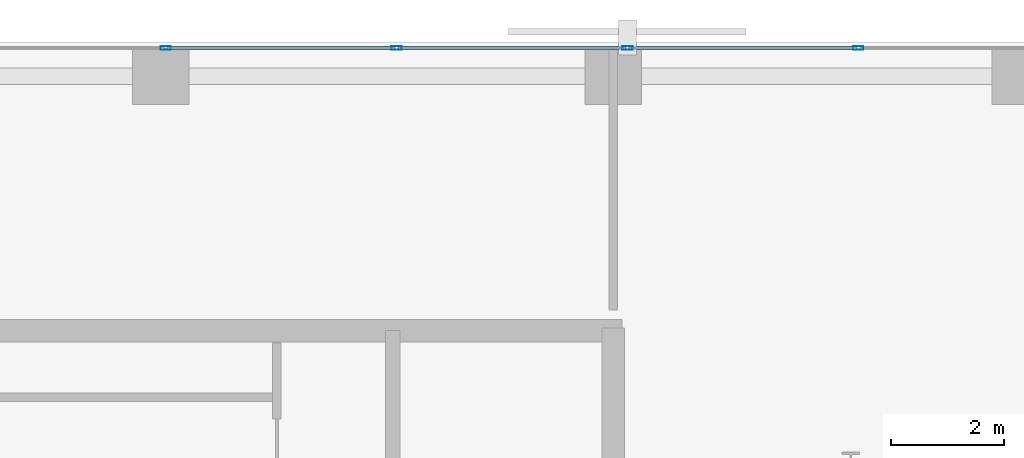
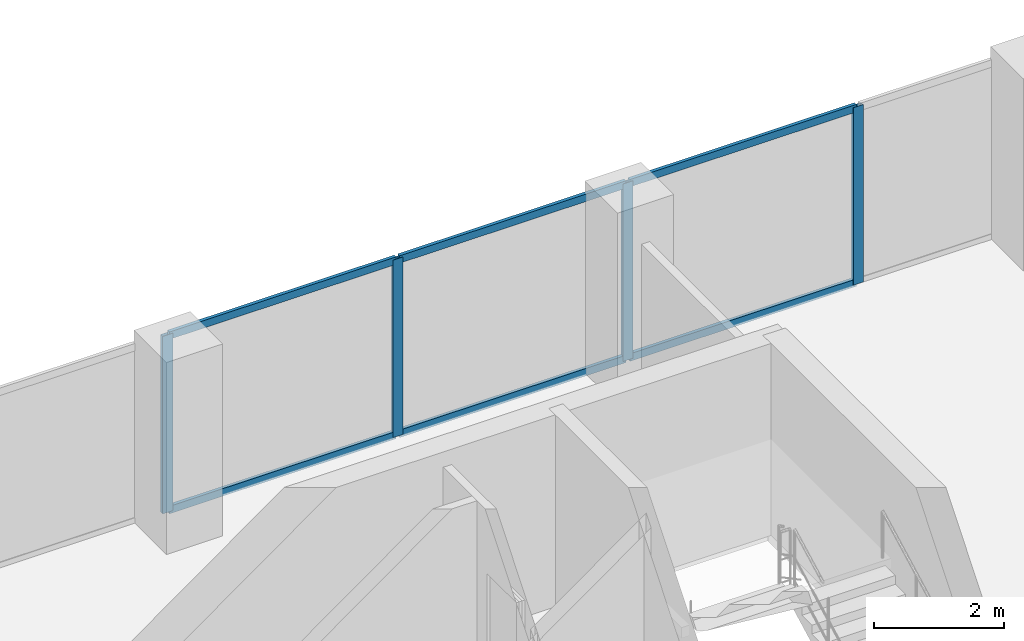
# One storey, part 24 of 32: 10 members, 1 element without a shape of its own.
"""IFC4 building model written with IfcOpenShell, lengths in metres."""

from ifc_helpers import new_model, si_unit, direction, frame, origin, origin_2d, place, context, subcontext, project, spatial, hollow_rectangle, extrude, material, layer, layer_set, material_profile, profile_set, type_object, element, aggregate, save


model = new_model("IFC4")

# Units and contexts
model_context = context("Model", 3, precision=1e-05, world=origin(), true_north=direction((0.0, 1.0)))
body_context = subcontext(model_context, "Body", "Model", "MODEL_VIEW")
ifc_project = project(units=[si_unit("LENGTHUNIT", "METRE"), si_unit("AREAUNIT", "SQUARE_METRE"), si_unit("VOLUMEUNIT", "CUBIC_METRE"), si_unit("PLANEANGLEUNIT", "RADIAN"), si_unit("MASSUNIT", "GRAM", prefix="KILO")], contexts=[model_context])

# Site, building, storey
site_placement = place(None, origin())
site = spatial("IfcSite", under=ifc_project, at=site_placement, CompositionType="ELEMENT")
building_placement = place(site_placement, origin())
building = spatial("IfcBuilding", under=site, at=building_placement, Name="Catumbela Crestline Tower", CompositionType="ELEMENT")
storey_placement = place(building_placement, frame((0.0, 0.0, 33.0)))
storey = spatial("IfcBuildingStorey", under=building, at=storey_placement, Name="L07", CompositionType="ELEMENT", Elevation=33.0)

# Curtain wall, members
ifc_material = material(Name="Aluminium alloy AW-6060-T66", Category="aluminium")
ifc_layer = layer(ifc_material, 0.18, Name="Aluminium alloy AW-6060-T66")
ifc_layer_set = layer_set([ifc_layer], Name="Aluminium alloy AW-6060-T66")
curtain_wall_type = type_object("IfcCurtainWallType", Name="CWU-Z1", PredefinedType="USERDEFINED", material=ifc_layer_set)
curtain_wall_placement = place(storey_placement, origin())
curtain_wall = element("IfcCurtainWall", 1, at=curtain_wall_placement, inside=storey, type_object=curtain_wall_type, Name="L07 Unitised Curtain Wall CW-L07-E7S1", ObjectType="UNITISED", PredefinedType="USERDEFINED")
ifc_material_profile_1 = material_profile(ifc_material, hollow_rectangle(XDim=0.065, YDim=0.18, WallThickness=0.004, at=origin_2d()), Name="ALU 180x65x4")
ifc_profile_set_1 = profile_set([ifc_material_profile_1], Name="Aluminium alloy AW-6060-T66")
member_type_1 = type_object("IfcMemberType", Name="MUL-180X65", PredefinedType="MULLION", material=ifc_profile_set_1)
member_1_placement = place(storey_placement, frame((44.3333, 47.9, 0.0), z_axis=(0.0, 0.0, 1.0), x_axis=(0.0, -1.0, 0.0)))
member_1 = element("IfcMember", 2, at=member_1_placement, type_object=member_type_1, Name="CWU-Z1 mullion 3", PredefinedType="MULLION", context=body_context, shape_type="SweptSolid", body=[
    extrude(hollow_rectangle(XDim=0.065, YDim=0.18, WallThickness=0.004, at=origin_2d()), origin(), (0.0, 0.0, 1.0), 3.33),
])
member_2_placement = place(storey_placement, frame((40.25, 47.9, 0.0), z_axis=(0.0, 0.0, 1.0), x_axis=(0.0, -1.0, 0.0)))
member_2 = element("IfcMember", 3, at=member_2_placement, type_object=member_type_1, Name="CWU-Z1 mullion 4", PredefinedType="MULLION", context=body_context, shape_type="SweptSolid", body=[
    extrude(hollow_rectangle(XDim=0.065, YDim=0.18, WallThickness=0.004, at=origin_2d()), origin(), (0.0, 0.0, 1.0), 3.33),
])
member_3_placement = place(storey_placement, frame((36.1667, 47.9, 0.0), z_axis=(0.0, 0.0, 1.0), x_axis=(0.0, -1.0, 0.0)))
member_3 = element("IfcMember", 4, at=member_3_placement, type_object=member_type_1, Name="CWU-Z1 mullion 5", PredefinedType="MULLION", context=body_context, shape_type="SweptSolid", body=[
    extrude(hollow_rectangle(XDim=0.065, YDim=0.18, WallThickness=0.004, at=origin_2d()), origin(), (0.0, 0.0, 1.0), 3.33),
])
member_4_placement = place(storey_placement, frame((32.0833, 47.9, 0.0), z_axis=(0.0, 0.0, 1.0), x_axis=(0.0, -1.0, 0.0)))
member_4 = element("IfcMember", 5, at=member_4_placement, type_object=member_type_1, Name="CWU-Z1 mullion 6", PredefinedType="MULLION", context=body_context, shape_type="SweptSolid", body=[
    extrude(hollow_rectangle(XDim=0.065, YDim=0.18, WallThickness=0.004, at=origin_2d()), origin(), (0.0, 0.0, 1.0), 3.33),
])
ifc_material_profile_2 = material_profile(ifc_material, hollow_rectangle(XDim=0.06, YDim=0.14, WallThickness=0.004, at=origin_2d()), Name="ALU 140x60x4")
ifc_profile_set_2 = profile_set([ifc_material_profile_2], Name="Aluminium alloy AW-6060-T66")
member_type_2 = type_object("IfcMemberType", Name="TRN-140X60", PredefinedType="USERDEFINED", material=ifc_profile_set_2)
member_5_placement = place(storey_placement, frame((44.3008, 47.9, 0.03), z_axis=(-1.0, 0.0, 0.0), x_axis=(0.0, -1.0, 0.0)))
member_5 = element("IfcMember", 6, at=member_5_placement, type_object=member_type_2, Name="CWU-Z1 transom 3.1", ObjectType="TRANSOM", PredefinedType="USERDEFINED", context=body_context, shape_type="SweptSolid", body=[
    extrude(hollow_rectangle(XDim=0.06, YDim=0.14, WallThickness=0.004, at=origin_2d()), origin(), (0.0, 0.0, 1.0), 4.0183),
])
member_6_placement = place(storey_placement, frame((44.3008, 47.9, 3.3), z_axis=(-1.0, 0.0, 0.0), x_axis=(0.0, -1.0, 0.0)))
member_6 = element("IfcMember", 7, at=member_6_placement, type_object=member_type_2, Name="CWU-Z1 transom 3.2", ObjectType="TRANSOM", PredefinedType="USERDEFINED", context=body_context, shape_type="SweptSolid", body=[
    extrude(hollow_rectangle(XDim=0.06, YDim=0.14, WallThickness=0.004, at=origin_2d()), origin(), (0.0, 0.0, 1.0), 4.0183),
])
member_7_placement = place(storey_placement, frame((40.2175, 47.9, 0.03), z_axis=(-1.0, 0.0, 0.0), x_axis=(0.0, -1.0, 0.0)))
member_7 = element("IfcMember", 8, at=member_7_placement, type_object=member_type_2, Name="CWU-Z1 transom 4.1", ObjectType="TRANSOM", PredefinedType="USERDEFINED", context=body_context, shape_type="SweptSolid", body=[
    extrude(hollow_rectangle(XDim=0.06, YDim=0.14, WallThickness=0.004, at=origin_2d()), origin(), (0.0, 0.0, 1.0), 4.0183),
])
member_8_placement = place(storey_placement, frame((40.2175, 47.9, 3.3), z_axis=(-1.0, 0.0, 0.0), x_axis=(0.0, -1.0, 0.0)))
member_8 = element("IfcMember", 9, at=member_8_placement, type_object=member_type_2, Name="CWU-Z1 transom 4.2", ObjectType="TRANSOM", PredefinedType="USERDEFINED", context=body_context, shape_type="SweptSolid", body=[
    extrude(hollow_rectangle(XDim=0.06, YDim=0.14, WallThickness=0.004, at=origin_2d()), origin(), (0.0, 0.0, 1.0), 4.0183),
])
member_9_placement = place(storey_placement, frame((36.1342, 47.9, 0.03), z_axis=(-1.0, 0.0, 0.0), x_axis=(0.0, -1.0, 0.0)))
member_9 = element("IfcMember", 10, at=member_9_placement, type_object=member_type_2, Name="CWU-Z1 transom 5.1", ObjectType="TRANSOM", PredefinedType="USERDEFINED", context=body_context, shape_type="SweptSolid", body=[
    extrude(hollow_rectangle(XDim=0.06, YDim=0.14, WallThickness=0.004, at=origin_2d()), origin(), (0.0, 0.0, 1.0), 4.0184),
])
member_10_placement = place(storey_placement, frame((36.1342, 47.9, 3.3), z_axis=(-1.0, 0.0, 0.0), x_axis=(0.0, -1.0, 0.0)))
member_10 = element("IfcMember", 11, at=member_10_placement, type_object=member_type_2, Name="CWU-Z1 transom 5.2", ObjectType="TRANSOM", PredefinedType="USERDEFINED", context=body_context, shape_type="SweptSolid", body=[
    extrude(hollow_rectangle(XDim=0.06, YDim=0.14, WallThickness=0.004, at=origin_2d()), origin(), (0.0, 0.0, 1.0), 4.0184),
])
aggregate(curtain_wall, [member_1, member_2, member_3, member_4, member_5, member_6, member_7, member_8, member_9, member_10])

save(model, "model.ifc")
